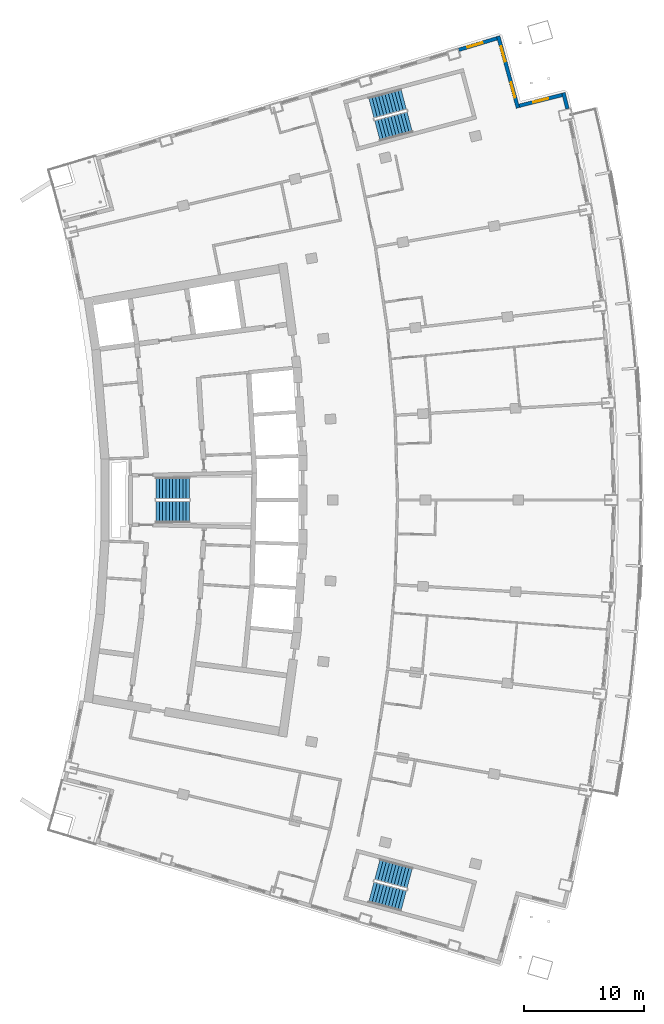
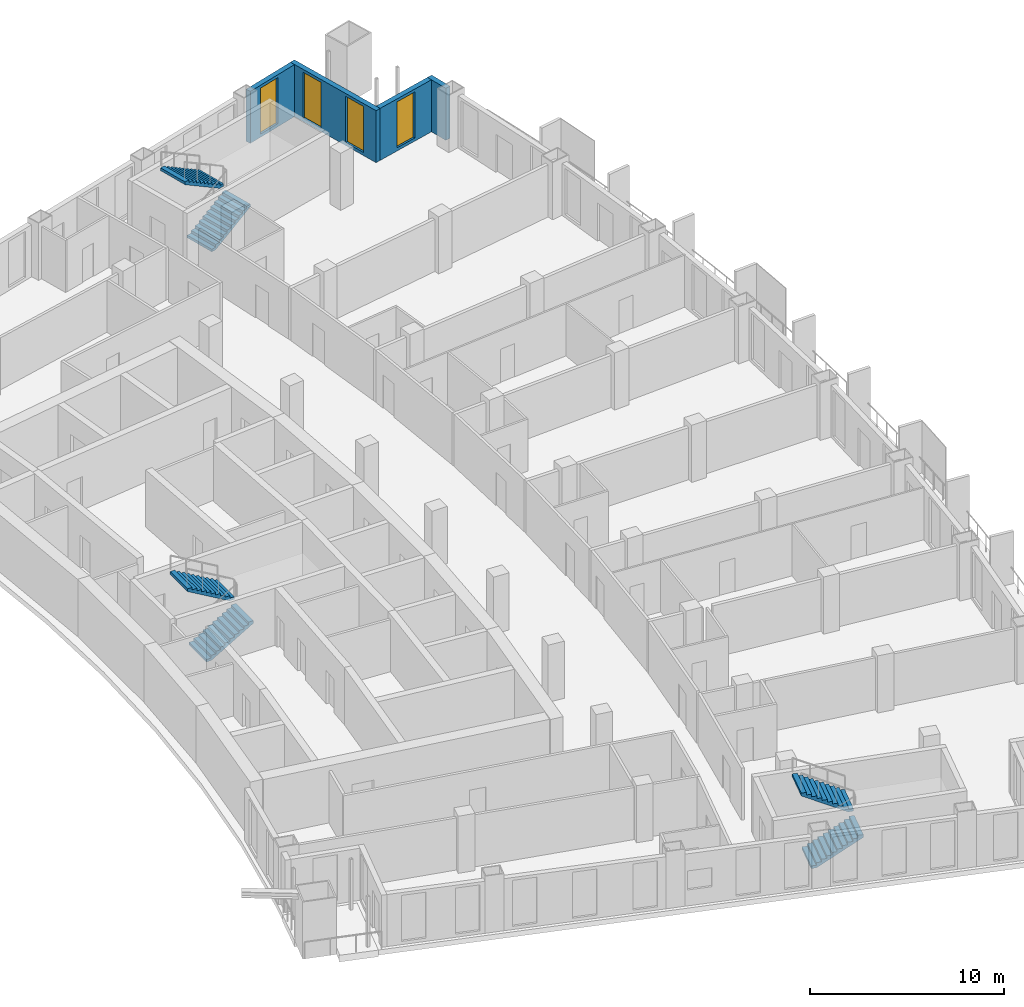
# One storey, part 16 of 19: 6 stair flights, 4 walls, 4 windows, 4 openings, 3 elements without a shape of their own.
"""IFC4 building model written with IfcOpenShell, lengths in metres."""

import ifcopenshell
import ifcopenshell.guid

model = None  # the IFC model being written
_history = None  # IfcOwnerHistory: only IFC2X3 demands one
_inside = {}  # id of a spatial element -> (the spatial element, [elements in it])
_under = {}  # id of a project, library or spatial element -> (it, [spatial elements below it])
_declared = {}  # id of a project -> (the project, [libraries it declares])
_typed = {}  # id of a type object -> (the type object, [elements of that type])
_made_of = {}  # id of a material, layer set ... -> (it, [elements and type objects made of it])


def new_model(schema):
    """Start an empty IFC model of exactly this schema.

    Asked for "IFC4X3", IfcOpenShell would pick the latest addendum, in which some entities
    have other attributes; the version numbers below select the first issue.
    IFC2X3 requires an IfcOwnerHistory on every rooted entity: one is made here for all.
    """
    global model, _history
    if schema == "IFC4X3":
        model = ifcopenshell.file(schema_version=(4, 3, 0, 0))
    else:
        model = ifcopenshell.file(schema=schema)
    _inside.clear()
    _under.clear()
    _declared.clear()
    _typed.clear()
    _made_of.clear()
    _history = None
    if model.schema == "IFC2X3":
        org = make("IfcOrganization", Name="unknown")
        user = make(
            "IfcPersonAndOrganization",
            ThePerson=make("IfcPerson", FamilyName="unknown"),
            TheOrganization=org,
        )
        app = make(
            "IfcApplication",
            ApplicationDeveloper=org,
            Version="unknown",
            ApplicationFullName="unknown",
            ApplicationIdentifier="unknown",
        )
        _history = make(
            "IfcOwnerHistory",
            OwningUser=user,
            OwningApplication=app,
            ChangeAction="ADDED",
            CreationDate=0,
        )
    return model


def make(cls, **values):
    """One entity of the class cls with the attributes given. An attribute that is None is left unset."""
    return model.create_entity(
        cls, **{name: value for name, value in values.items() if value is not None}
    )


def rooted(cls, **values):
    """An entity with a GlobalId (a new one), such as an element, a storey or a relation."""
    return make(cls, GlobalId=ifcopenshell.guid.new(), OwnerHistory=_history, **values)


def si_unit(unit_type, name, prefix=None):
    """IfcSIUnit, for example si_unit("LENGTHUNIT", "METRE", prefix="MILLI")."""
    return make("IfcSIUnit", UnitType=unit_type, Prefix=prefix, Name=name)


def assignment(units):
    """IfcUnitAssignment: the units of a project."""
    return None if units is None else make("IfcUnitAssignment", Units=units)


def point(xyz):
    """IfcCartesianPoint."""
    return None if xyz is None else make("IfcCartesianPoint", Coordinates=xyz)


def direction(xyz):
    """IfcDirection."""
    return None if xyz is None else make("IfcDirection", DirectionRatios=xyz)


def frame(location, z_axis=None, x_axis=None):
    """IfcAxis2Placement3D, a coordinate frame: its origin and axes. An axis left out is left unset."""
    return make(
        "IfcAxis2Placement3D",
        Location=point(location),
        Axis=direction(z_axis),
        RefDirection=direction(x_axis),
    )


def frame_2d(location, x_axis=None):
    """IfcAxis2Placement2D, a coordinate frame in the plane: its origin and x axis."""
    return make(
        "IfcAxis2Placement2D", Location=point(location), RefDirection=direction(x_axis)
    )


def origin():
    """The frame at (0, 0, 0) with its axes left unset."""
    return frame((0.0, 0.0, 0.0))


def place(relative_to, where):
    """IfcLocalPlacement: puts the frame where relative to a parent placement (None: the world)."""
    return make(
        "IfcLocalPlacement", PlacementRelTo=relative_to, RelativePlacement=where
    )


def context(
    kind, dimensions, precision=None, world=None, true_north=None, identifier=None
):
    """IfcGeometricRepresentationContext, for example the 3D "Model" context."""
    return make(
        "IfcGeometricRepresentationContext",
        ContextIdentifier=identifier,
        ContextType=kind,
        CoordinateSpaceDimension=dimensions,
        Precision=precision,
        WorldCoordinateSystem=world,
        TrueNorth=true_north,
    )


def subcontext(parent, identifier, kind, view, scale=None):
    """IfcGeometricRepresentationSubContext, for example "Body" below "Model"."""
    return make(
        "IfcGeometricRepresentationSubContext",
        ContextIdentifier=identifier,
        ContextType=kind,
        ParentContext=parent,
        TargetScale=scale,
        TargetView=view,
    )


def project(units=None, contexts=None):
    """IfcProject with its units and contexts."""
    return rooted(
        "IfcProject",
        Name="project",
        RepresentationContexts=contexts,
        UnitsInContext=assignment(units),
    )


def spatial(cls, under=None, at=None, **own):
    """A site, building, storey or space (cls), placed at a placement, below another one or the project."""
    s = rooted(cls, ObjectPlacement=at, **own)
    if under is not None:
        _under.setdefault(under.id(), (under, []))[1].append(s)
    return s


def polyline(points):
    """IfcPolyline through the points."""
    return make("IfcPolyline", Points=[point(p) for p in points])


def profile(cls, at=None, kind="AREA", **sizes):
    """A parametric profile (cls). Its sizes go by their IFC names, for example OverallWidth=200.0."""
    return make(cls, ProfileType=kind, Position=at, **sizes)


def rectangle(**sizes):
    """IfcRectangleProfileDef."""
    return profile("IfcRectangleProfileDef", **sizes)


def outline(outer, holes=None, kind="AREA"):
    """IfcArbitraryClosedProfileDef: a profile drawn as a closed curve; with holes, ...WithVoids."""
    if holes is None:
        return make("IfcArbitraryClosedProfileDef", ProfileType=kind, OuterCurve=outer)
    return make(
        "IfcArbitraryProfileDefWithVoids",
        ProfileType=kind,
        OuterCurve=outer,
        InnerCurves=holes,
    )


def extrude(swept, where, along, depth):
    """IfcExtrudedAreaSolid: the profile swept, set in the frame where, extruded along a direction by depth."""
    return make(
        "IfcExtrudedAreaSolid",
        SweptArea=swept,
        Position=where,
        ExtrudedDirection=direction(along),
        Depth=depth,
    )


def shape(context_of_items, identifier, shape_type, items):
    """IfcShapeRepresentation: the items that make up one representation, for example the "Body"."""
    return make(
        "IfcShapeRepresentation",
        ContextOfItems=context_of_items,
        RepresentationIdentifier=identifier,
        RepresentationType=shape_type,
        Items=items,
    )


def material(Name=None, Category=None):
    """IfcMaterial."""
    return make("IfcMaterial", Name=Name, Category=Category)


def layer(
    of_material, thickness, ventilated=None, Name=None, Category=None, Priority=None
):
    """IfcMaterialLayer: one layer of a wall or slab, of a material (None: an air gap)."""
    return make(
        "IfcMaterialLayer",
        Material=of_material,
        LayerThickness=thickness,
        IsVentilated=ventilated,
        Name=Name,
        Category=Category,
        Priority=Priority,
    )


def layer_set(layers, Name=None):
    """IfcMaterialLayerSet."""
    return make("IfcMaterialLayerSet", MaterialLayers=layers, LayerSetName=Name)


def made_of(thing, what):
    """Note that an element or type object is made of a material, layer set ...; save() writes the relation."""
    if what is not None:
        _made_of.setdefault(what.id(), (what, []))[1].append(thing)
    return thing


def type_object(cls, material=None, **own):
    """A type object (cls), such as IfcWallType, which elements share."""
    return made_of(rooted(cls, **own), material)


def element(
    cls,
    number,
    at=None,
    inside=None,
    cuts=None,
    type_object=None,
    material=None,
    context=None,
    identifier="Body",
    shape_type=None,
    held_by="IfcProductDefinitionShape",
    body=None,
    shapes=None,
    **own,
):
    """One element of the class cls, such as IfcWall. Its Tag is "e" and its number.

    at: its placement. inside: the storey or other place that contains it. cuts: it is an
    opening in that element (IfcRelVoidsElement). A single representation is given by context,
    identifier, shape_type and body (its items); several are given by shapes. held_by: the class
    of the entity that holds the representations. save() writes the other relations.
    """
    e = rooted(cls, Tag="e%d" % number, ObjectPlacement=at, **own)
    if body is not None:
        shapes = [shape(context, identifier, shape_type, body)]
    if shapes is not None:
        e.Representation = make(held_by, Representations=shapes)
    if inside is not None:
        _inside.setdefault(inside.id(), (inside, []))[1].append(e)
    if cuts is not None:
        rooted(
            "IfcRelVoidsElement", RelatingBuildingElement=cuts, RelatedOpeningElement=e
        )
    if type_object is not None:
        _typed.setdefault(type_object.id(), (type_object, []))[1].append(e)
    return made_of(e, material)


def fill(opening, filler):
    """IfcRelFillsElement: the door or window that sits in an opening."""
    return rooted(
        "IfcRelFillsElement",
        RelatingOpeningElement=opening,
        RelatedBuildingElement=filler,
    )


def aggregate(whole, parts):
    """IfcRelAggregates: a whole, such as a stair, and the parts it consists of."""
    return rooted("IfcRelAggregates", RelatingObject=whole, RelatedObjects=parts)


def save(model, path):
    """Write the relations noted so far, then the file.

    IfcRelAggregates (storeys below a building ...), IfcRelContainedInSpatialStructure (elements
    in a storey), IfcRelDefinesByType, IfcRelAssociatesMaterial and IfcRelDeclares: one each for
    every whole, place, type object, material and project.
    """
    for whole, parts in _under.values():
        aggregate(whole, parts)
    for where, things in _inside.values():
        rooted(
            "IfcRelContainedInSpatialStructure",
            RelatedElements=things,
            RelatingStructure=where,
        )
    for kind, things in _typed.values():
        rooted("IfcRelDefinesByType", RelatedObjects=things, RelatingType=kind)
    for what, things in _made_of.values():
        rooted("IfcRelAssociatesMaterial", RelatedObjects=things, RelatingMaterial=what)
    for by, libraries in _declared.values():
        rooted("IfcRelDeclares", RelatingContext=by, RelatedDefinitions=libraries)
    model.write(path)


model = new_model("IFC4")

# Units and contexts
model_context = context("Model", 3, precision=1e-05, world=origin(), true_north=direction((0.0, 1.0)))
body_context = subcontext(model_context, "Body", "Model", "MODEL_VIEW")
ifc_project = project(units=[si_unit("LENGTHUNIT", "METRE"), si_unit("AREAUNIT", "SQUARE_METRE"), si_unit("VOLUMEUNIT", "CUBIC_METRE"), si_unit("PLANEANGLEUNIT", "RADIAN"), si_unit("MASSUNIT", "GRAM", prefix="KILO")], contexts=[model_context])

# Site, building, storey
site_placement = place(None, origin())
site = spatial("IfcSite", under=ifc_project, at=site_placement, CompositionType="ELEMENT")
building_placement = place(site_placement, origin())
building = spatial("IfcBuilding", under=site, at=building_placement, Name="Alderwake Tower", CompositionType="ELEMENT")
storey_placement = place(building_placement, frame((0.0, 0.0, 174.800048828125)))
storey = spatial("IfcBuildingStorey", under=building, at=storey_placement, Name="L43", CompositionType="ELEMENT", Elevation=174.800048828125)

# Wall
ifc_material_1 = material(Name="Precast concrete C50/60 spandrel panel", Category="concrete")
ifc_layer_1 = layer(ifc_material_1, 0.300048828125)
ifc_layer_set_1 = layer_set([ifc_layer_1], Name="External wall EW1 Precast concrete C50/60 spandrel")
wall_type_1 = type_object("IfcWallType", Name="External wall EW1 Precast concrete C50/60 spandrel", PredefinedType="SOLIDWALL", material=ifc_layer_set_1)
wall_1_placement = place(storey_placement, frame((55.367919921875, 93.640380859375, 0.0), z_axis=(0.0, 0.0, 1.0), x_axis=(-0.238313179322, 0.971188358951, 0.0)))
element("IfcWall", 1, at=wall_1_placement, inside=storey, type_object=wall_type_1, Name="External wall 20", PredefinedType="SOLIDWALL", context=body_context, shape_type="SweptSolid", body=[
    extrude(rectangle(XDim=1.374755859375, YDim=0.300048828125, at=frame_2d((0.6875, 0.0))), origin(), (0.0, 0.0, 1.0), 3.280029296875),
])

# Wall, opening, window
ifc_material_2 = material(Name="Bronze metal cladding on lightweight framing")
ifc_layer_2 = layer(ifc_material_2, 0.300048828125)
ifc_layer_set_2 = layer_set([ifc_layer_2], Name="External wall EW2 bronze metal cladding")
wall_type_2 = type_object("IfcWallType", Name="External wall EW2 bronze metal cladding", PredefinedType="SOLIDWALL", material=ifc_layer_set_2)
wall_2_placement = place(storey_placement, frame((54.930419921875, 94.793212890625, 0.0), z_axis=(0.0, 0.0, 1.0), x_axis=(-0.969426922046, -0.245380200529, 0.0)))
wall_2 = element("IfcWall", 2, at=wall_2_placement, inside=storey, type_object=wall_type_2, Name="External wall 21", PredefinedType="SOLIDWALL", context=body_context, shape_type="SweptSolid", body=[
    extrude(rectangle(XDim=3.6943359375, YDim=0.300048828125, at=frame_2d((1.84716796875, 0.0))), origin(), (0.0, 0.0, 1.0), 3.280029296875),
])
opening_1_placement = place(wall_2_placement, frame((1.197021484375, 0.0, 0.199951171875)))
opening_1 = element("IfcOpeningElement", 3, at=opening_1_placement, cuts=wall_2, Name="Opening W1", PredefinedType="OPENING", context=body_context, shape_type="SweptSolid", body=[
    extrude(rectangle(XDim=1.300048828125, YDim=2.89990234375, at=frame_2d((0.64990234375, 1.449951171875))), frame((0.0, 0.159912109375, 0.0), z_axis=(0.0, -1.0, 0.0), x_axis=(1.0, 0.0, 0.0)), (0.0, 0.0, 1.0), 0.320068359375),
])
ifc_material_3 = material(Name="Bronze tinted glass in aluminium frame", Category="aluminium")
window_type = type_object("IfcWindowType", Name="Window W1 tall fixed and vent", PartitioningType="DOUBLE_PANEL_VERTICAL", PredefinedType="WINDOW", material=ifc_material_3)
window_1_placement = place(opening_1_placement, origin())
window_1 = element("IfcWindow", 4, at=window_1_placement, inside=storey, type_object=window_type, Name="Window W1 tall fixed and vent", OverallHeight=2.89990234375, OverallWidth=1.300048828125, PartitioningType="DOUBLE_PANEL_VERTICAL", PredefinedType="WINDOW", context=body_context, shape_type="SweptSolid", body=[
    extrude(rectangle(XDim=1.300048828125, YDim=2.89990234375, at=frame_2d((0.64990234375, 1.449951171875))), frame((0.0, 0.030029296875, 0.0), z_axis=(0.0, -1.0, 0.0), x_axis=(1.0, 0.0, 0.0)), (0.0, 0.0, 1.0), 0.06005859375),
])
fill(opening_1, window_1)

# Wall, openings, windows
wall_3_placement = place(storey_placement, frame((51.243408203125, 93.705078125, 0.0), z_axis=(0.0, 0.0, 1.0), x_axis=(-0.265080723664, 0.964226223426, 0.0)))
wall_3 = element("IfcWall", 5, at=wall_3_placement, inside=storey, type_object=wall_type_2, Name="External wall 22", PredefinedType="SOLIDWALL", context=body_context, shape_type="SweptSolid", body=[
    extrude(rectangle(XDim=6.216796875, YDim=0.300048828125, at=frame_2d((3.1083984375, 0.0))), origin(), (0.0, 0.0, 1.0), 3.280029296875),
])
opening_2_placement = place(wall_3_placement, frame((0.904296875, 0.0, 0.199951171875)))
opening_2 = element("IfcOpeningElement", 6, at=opening_2_placement, cuts=wall_3, Name="Opening W1", PredefinedType="OPENING", context=body_context, shape_type="SweptSolid", body=[
    extrude(rectangle(XDim=1.300048828125, YDim=2.89990234375, at=frame_2d((0.64990234375, 1.449951171875))), frame((0.0, 0.159912109375, 0.0), z_axis=(0.0, -1.0, 0.0), x_axis=(1.0, 0.0, 0.0)), (0.0, 0.0, 1.0), 0.320068359375),
])
opening_3_placement = place(wall_3_placement, frame((4.012451171875, 0.0, 0.199951171875)))
opening_3 = element("IfcOpeningElement", 7, at=opening_3_placement, cuts=wall_3, Name="Opening W1", PredefinedType="OPENING", context=body_context, shape_type="SweptSolid", body=[
    extrude(rectangle(XDim=1.300048828125, YDim=2.89990234375, at=frame_2d((0.64990234375, 1.449951171875))), frame((0.0, 0.159912109375, 0.0), z_axis=(0.0, -1.0, 0.0), x_axis=(1.0, 0.0, 0.0)), (0.0, 0.0, 1.0), 0.320068359375),
])
window_2_placement = place(opening_2_placement, origin())
window_2 = element("IfcWindow", 8, at=window_2_placement, inside=storey, type_object=window_type, Name="Window W1 tall fixed and vent", OverallHeight=2.89990234375, OverallWidth=1.300048828125, PartitioningType="DOUBLE_PANEL_VERTICAL", PredefinedType="WINDOW", context=body_context, shape_type="SweptSolid", body=[
    extrude(rectangle(XDim=1.300048828125, YDim=2.89990234375, at=frame_2d((0.64990234375, 1.449951171875))), frame((0.0, 0.030029296875, 0.0), z_axis=(0.0, -1.0, 0.0), x_axis=(1.0, 0.0, 0.0)), (0.0, 0.0, 1.0), 0.06005859375),
])
fill(opening_2, window_2)
window_3_placement = place(opening_3_placement, origin())
window_3 = element("IfcWindow", 9, at=window_3_placement, inside=storey, type_object=window_type, Name="Window W1 tall fixed and vent", OverallHeight=2.89990234375, OverallWidth=1.300048828125, PartitioningType="DOUBLE_PANEL_VERTICAL", PredefinedType="WINDOW", context=body_context, shape_type="SweptSolid", body=[
    extrude(rectangle(XDim=1.300048828125, YDim=2.89990234375, at=frame_2d((0.64990234375, 1.449951171875))), frame((0.0, 0.030029296875, 0.0), z_axis=(0.0, -1.0, 0.0), x_axis=(1.0, 0.0, 0.0)), (0.0, 0.0, 1.0), 0.06005859375),
])
fill(opening_3, window_3)

# Wall, opening, window
wall_4_placement = place(storey_placement, frame((49.49169921875, 99.51171875, 0.0), z_axis=(0.0, 0.0, 1.0), x_axis=(-0.957757642826, -0.287576594332, 0.0)))
wall_4 = element("IfcWall", 10, at=wall_4_placement, inside=storey, type_object=wall_type_2, Name="External wall 23", PredefinedType="SOLIDWALL", context=body_context, shape_type="SweptSolid", body=[
    extrude(rectangle(XDim=3.32958984375, YDim=0.300048828125, at=frame_2d((1.664794921875, 0.0))), origin(), (0.0, 0.0, 1.0), 3.280029296875),
])
opening_4_placement = place(wall_4_placement, frame((1.265625, 0.0, 0.199951171875)))
opening_4 = element("IfcOpeningElement", 11, at=opening_4_placement, cuts=wall_4, Name="Opening W1", PredefinedType="OPENING", context=body_context, shape_type="SweptSolid", body=[
    extrude(rectangle(XDim=1.300048828125, YDim=2.89990234375, at=frame_2d((0.64990234375, 1.449951171875))), frame((0.0, 0.159912109375, 0.0), z_axis=(0.0, -1.0, 0.0), x_axis=(1.0, 0.0, 0.0)), (0.0, 0.0, 1.0), 0.320068359375),
])
window_4_placement = place(opening_4_placement, origin())
window_4 = element("IfcWindow", 12, at=window_4_placement, inside=storey, type_object=window_type, Name="Window W1 tall fixed and vent", OverallHeight=2.89990234375, OverallWidth=1.300048828125, PartitioningType="DOUBLE_PANEL_VERTICAL", PredefinedType="WINDOW", context=body_context, shape_type="SweptSolid", body=[
    extrude(rectangle(XDim=1.300048828125, YDim=2.89990234375, at=frame_2d((0.64990234375, 1.449951171875))), frame((0.0, 0.030029296875, 0.0), z_axis=(0.0, -1.0, 0.0), x_axis=(1.0, 0.0, 0.0)), (0.0, 0.0, 1.0), 0.06005859375),
])
fill(opening_4, window_4)

# Stair, stair flights
ifc_material_4 = material(Name="Concrete C40/50", Category="concrete")
stair_type = type_object("IfcStairType", Name="Core exit stair", PredefinedType="HALF_TURN_STAIR", material=ifc_material_4)
stair_1_placement = place(storey_placement, origin())
stair_1 = element("IfcStair", 13, at=stair_1_placement, inside=storey, type_object=stair_type, Name="L43 Exit Stair B", PredefinedType="HALF_TURN_STAIR")
ifc_material_5 = material(Name="Concrete C40/50", Category="concrete")
ifc_layer_3 = layer(ifc_material_5, 0.14990234375)
ifc_layer_set_3 = layer_set([ifc_layer_3], Name="Core stair flight")
stair_flight_type = type_object("IfcStairFlightType", Name="Core stair flight", PredefinedType="STRAIGHT", material=ifc_layer_set_3)
stair_flight_1_placement = place(storey_placement, frame((21.0400390625, 60.02490234375, 0.0), z_axis=(0.0, 0.0, 1.0), x_axis=(1.0, 0.0, 0.0)))
stair_flight_1 = element("IfcStairFlight", 14, at=stair_flight_1_placement, type_object=stair_flight_type, Name="ST-B flight 1", NumberOfRisers=11, NumberOfTreads=10, PredefinedType="STRAIGHT", RiserHeight=0.163636364, TreadLength=0.28, context=body_context, shape_type="SweptSolid", body=[
    extrude(outline(polyline([(0.0, 0.0), (0.0, 0.16357421875), (0.280029296875, 0.16357421875), (0.280029296875, 0.327392578125), (0.56005859375, 0.327392578125), (0.56005859375, 0.490966796875), (0.840087890625, 0.490966796875), (0.840087890625, 0.654541015625), (1.1201171875, 0.654541015625), (1.1201171875, 0.818115234375), (1.39990234375, 0.818115234375), (1.39990234375, 0.98193359375), (1.679931640625, 0.98193359375), (1.679931640625, 1.1455078125), (1.9599609375, 1.1455078125), (1.9599609375, 1.30908203125), (2.239990234375, 1.30908203125), (2.239990234375, 1.47265625), (2.52001953125, 1.47265625), (2.52001953125, 1.636474609375), (2.800048828125, 1.636474609375), (2.800048828125, 1.800048828125), (2.800048828125, 1.462646484375), (0.297119140625, 0.0), (0.0, 0.0)])), frame((0.0, 0.89990234375, 0.0), z_axis=(0.0, -1.0, 0.0), x_axis=(1.0, 0.0, 0.0)), (0.0, 0.0, 1.0), 1.800048828125),
])
stair_flight_2_placement = place(storey_placement, frame((23.840087890625, 61.97509765625, 1.800048828125), z_axis=(0.0, 0.0, 1.0), x_axis=(-1.0, 0.0, 0.0)))
stair_flight_2 = element("IfcStairFlight", 15, at=stair_flight_2_placement, type_object=stair_flight_type, Name="ST-B flight 2", NumberOfRisers=11, NumberOfTreads=10, PredefinedType="STRAIGHT", RiserHeight=0.163636364, TreadLength=0.28, context=body_context, shape_type="SweptSolid", body=[
    extrude(outline(polyline([(0.0, 0.0), (0.0, 0.16357421875), (0.280029296875, 0.16357421875), (0.280029296875, 0.327392578125), (0.56005859375, 0.327392578125), (0.56005859375, 0.490966796875), (0.840087890625, 0.490966796875), (0.840087890625, 0.654541015625), (1.1201171875, 0.654541015625), (1.1201171875, 0.818115234375), (1.39990234375, 0.818115234375), (1.39990234375, 0.98193359375), (1.679931640625, 0.98193359375), (1.679931640625, 1.1455078125), (1.9599609375, 1.1455078125), (1.9599609375, 1.30908203125), (2.239990234375, 1.30908203125), (2.239990234375, 1.47265625), (2.52001953125, 1.47265625), (2.52001953125, 1.636474609375), (2.800048828125, 1.636474609375), (2.800048828125, 1.800048828125), (2.800048828125, 1.462646484375), (0.297119140625, 0.0), (0.0, 0.0)])), frame((0.0, 0.89990234375, 0.0), z_axis=(0.0, -1.0, 0.0), x_axis=(1.0, 0.0, 0.0)), (0.0, 0.0, 1.0), 1.800048828125),
])
aggregate(stair_1, [stair_flight_1, stair_flight_2])

stair_2_placement = place(storey_placement, origin())
stair_2 = element("IfcStair", 16, at=stair_2_placement, inside=storey, type_object=stair_type, Name="L43 Exit Stair A", PredefinedType="HALF_TURN_STAIR")
stair_flight_3_placement = place(storey_placement, frame((39.512939453125, 91.823974609375, 0.0), z_axis=(0.0, 0.0, 1.0), x_axis=(0.966309627437, 0.257382407951, 0.0)))
stair_flight_3 = element("IfcStairFlight", 17, at=stair_flight_3_placement, type_object=stair_flight_type, Name="ST-A flight 1", NumberOfRisers=11, NumberOfTreads=10, PredefinedType="STRAIGHT", RiserHeight=0.163636364, TreadLength=0.28, context=body_context, shape_type="SweptSolid", body=[
    extrude(outline(polyline([(0.0, 0.0), (0.0, 0.16357421875), (0.280029296875, 0.16357421875), (0.280029296875, 0.327392578125), (0.56005859375, 0.327392578125), (0.56005859375, 0.490966796875), (0.840087890625, 0.490966796875), (0.840087890625, 0.654541015625), (1.1201171875, 0.654541015625), (1.1201171875, 0.818115234375), (1.39990234375, 0.818115234375), (1.39990234375, 0.98193359375), (1.679931640625, 0.98193359375), (1.679931640625, 1.1455078125), (1.9599609375, 1.1455078125), (1.9599609375, 1.30908203125), (2.239990234375, 1.30908203125), (2.239990234375, 1.47265625), (2.52001953125, 1.47265625), (2.52001953125, 1.636474609375), (2.800048828125, 1.636474609375), (2.800048828125, 1.800048828125), (2.800048828125, 1.462646484375), (0.297119140625, 0.0), (0.0, 0.0)])), frame((0.0, 0.89990234375, 0.0), z_axis=(0.0, -1.0, 0.0), x_axis=(1.0, 0.0, 0.0)), (0.0, 0.0, 1.0), 1.800048828125),
])
stair_flight_4_placement = place(storey_placement, frame((41.716796875, 94.428955078125, 1.800048828125), z_axis=(0.0, 0.0, 1.0), x_axis=(-0.966309627437, -0.257382407951, 0.0)))
stair_flight_4 = element("IfcStairFlight", 18, at=stair_flight_4_placement, type_object=stair_flight_type, Name="ST-A flight 2", NumberOfRisers=11, NumberOfTreads=10, PredefinedType="STRAIGHT", RiserHeight=0.163636364, TreadLength=0.28, context=body_context, shape_type="SweptSolid", body=[
    extrude(outline(polyline([(0.0, 0.0), (0.0, 0.16357421875), (0.280029296875, 0.16357421875), (0.280029296875, 0.327392578125), (0.56005859375, 0.327392578125), (0.56005859375, 0.490966796875), (0.840087890625, 0.490966796875), (0.840087890625, 0.654541015625), (1.1201171875, 0.654541015625), (1.1201171875, 0.818115234375), (1.39990234375, 0.818115234375), (1.39990234375, 0.98193359375), (1.679931640625, 0.98193359375), (1.679931640625, 1.1455078125), (1.9599609375, 1.1455078125), (1.9599609375, 1.30908203125), (2.239990234375, 1.30908203125), (2.239990234375, 1.47265625), (2.52001953125, 1.47265625), (2.52001953125, 1.636474609375), (2.800048828125, 1.636474609375), (2.800048828125, 1.800048828125), (2.800048828125, 1.462646484375), (0.297119140625, 0.0), (0.0, 0.0)])), frame((0.0, 0.89990234375, 0.0), z_axis=(0.0, -1.0, 0.0), x_axis=(1.0, 0.0, 0.0)), (0.0, 0.0, 1.0), 1.800048828125),
])
aggregate(stair_2, [stair_flight_3, stair_flight_4])

stair_3_placement = place(storey_placement, origin())
stair_3 = element("IfcStair", 19, at=stair_3_placement, inside=storey, type_object=stair_type, Name="L43 Exit Stair C", PredefinedType="HALF_TURN_STAIR")
stair_flight_5_placement = place(storey_placement, frame((39.010986328125, 28.291748046875, 0.0), z_axis=(0.0, 0.0, 1.0), x_axis=(0.966309627437, -0.257382407951, 0.0)))
stair_flight_5 = element("IfcStairFlight", 20, at=stair_flight_5_placement, type_object=stair_flight_type, Name="ST-C flight 1", NumberOfRisers=11, NumberOfTreads=10, PredefinedType="STRAIGHT", RiserHeight=0.163636364, TreadLength=0.28, context=body_context, shape_type="SweptSolid", body=[
    extrude(outline(polyline([(0.0, 0.0), (0.0, 0.16357421875), (0.280029296875, 0.16357421875), (0.280029296875, 0.327392578125), (0.56005859375, 0.327392578125), (0.56005859375, 0.490966796875), (0.840087890625, 0.490966796875), (0.840087890625, 0.654541015625), (1.1201171875, 0.654541015625), (1.1201171875, 0.818115234375), (1.39990234375, 0.818115234375), (1.39990234375, 0.98193359375), (1.679931640625, 0.98193359375), (1.679931640625, 1.1455078125), (1.9599609375, 1.1455078125), (1.9599609375, 1.30908203125), (2.239990234375, 1.30908203125), (2.239990234375, 1.47265625), (2.52001953125, 1.47265625), (2.52001953125, 1.636474609375), (2.800048828125, 1.636474609375), (2.800048828125, 1.800048828125), (2.800048828125, 1.462646484375), (0.297119140625, 0.0), (0.0, 0.0)])), frame((0.0, 0.89990234375, 0.0), z_axis=(0.0, -1.0, 0.0), x_axis=(1.0, 0.0, 0.0)), (0.0, 0.0, 1.0), 1.800048828125),
])
stair_flight_6_placement = place(storey_placement, frame((42.218505859375, 29.455322265625, 1.800048828125), z_axis=(0.0, 0.0, 1.0), x_axis=(-0.966309627437, 0.257382407951, 0.0)))
stair_flight_6 = element("IfcStairFlight", 21, at=stair_flight_6_placement, type_object=stair_flight_type, Name="ST-C flight 2", NumberOfRisers=11, NumberOfTreads=10, PredefinedType="STRAIGHT", RiserHeight=0.163636364, TreadLength=0.28, context=body_context, shape_type="SweptSolid", body=[
    extrude(outline(polyline([(0.0, 0.0), (0.0, 0.16357421875), (0.280029296875, 0.16357421875), (0.280029296875, 0.327392578125), (0.56005859375, 0.327392578125), (0.56005859375, 0.490966796875), (0.840087890625, 0.490966796875), (0.840087890625, 0.654541015625), (1.1201171875, 0.654541015625), (1.1201171875, 0.818115234375), (1.39990234375, 0.818115234375), (1.39990234375, 0.98193359375), (1.679931640625, 0.98193359375), (1.679931640625, 1.1455078125), (1.9599609375, 1.1455078125), (1.9599609375, 1.30908203125), (2.239990234375, 1.30908203125), (2.239990234375, 1.47265625), (2.52001953125, 1.47265625), (2.52001953125, 1.636474609375), (2.800048828125, 1.636474609375), (2.800048828125, 1.800048828125), (2.800048828125, 1.462646484375), (0.297119140625, 0.0), (0.0, 0.0)])), frame((0.0, 0.89990234375, 0.0), z_axis=(0.0, -1.0, 0.0), x_axis=(1.0, 0.0, 0.0)), (0.0, 0.0, 1.0), 1.800048828125),
])
aggregate(stair_3, [stair_flight_5, stair_flight_6])

save(model, "model.ifc")
